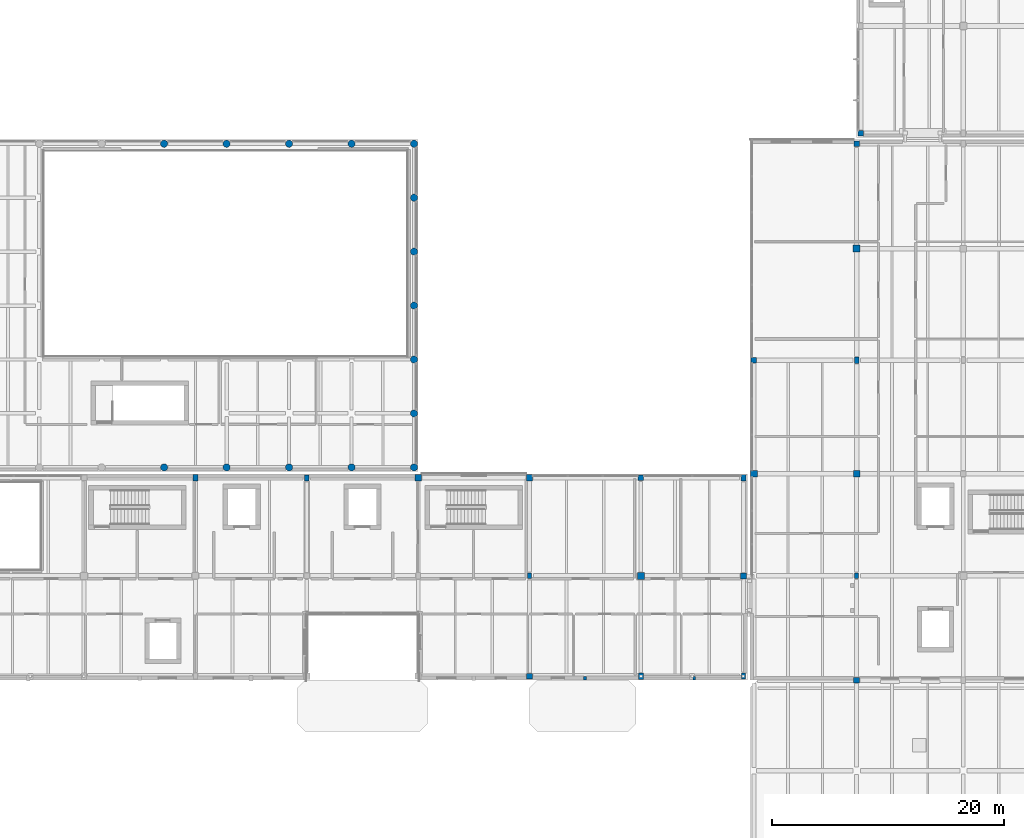
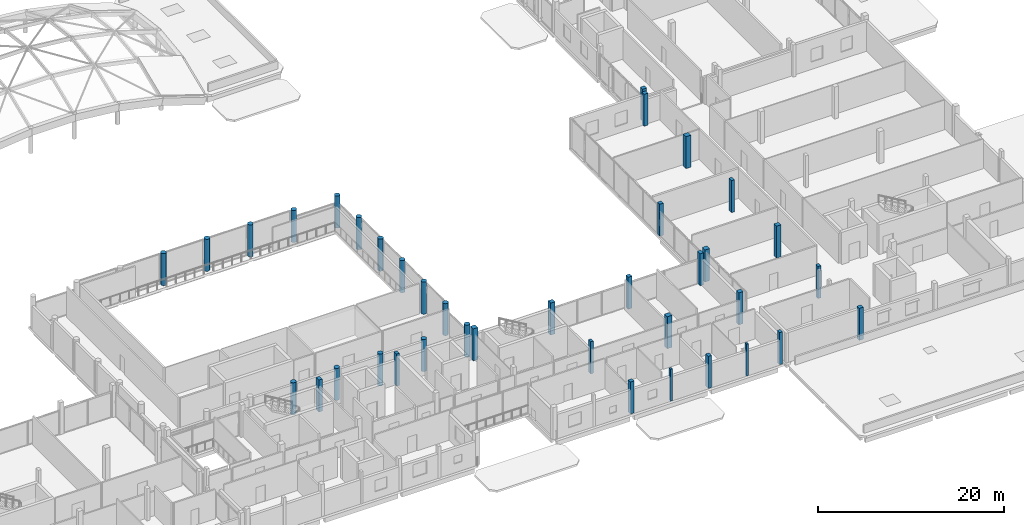
# One storey, part 2 of 66: 38 columns.
"""IFC4 building model written with IfcOpenShell, lengths in metres."""

from ifc_helpers import new_model, si_unit, direction, frame, origin, origin_2d, place, context, subcontext, project, spatial, rectangle, circle, extrude, material, material_profile, profile_set, type_object, element, save


model = new_model("IFC4")

# Units and contexts
model_context = context("Model", 3, precision=1e-05, world=origin(), true_north=direction((0.0, 1.0)))
body_context = subcontext(model_context, "Body", "Model", "MODEL_VIEW")
ifc_project = project(units=[si_unit("LENGTHUNIT", "METRE"), si_unit("AREAUNIT", "SQUARE_METRE"), si_unit("VOLUMEUNIT", "CUBIC_METRE"), si_unit("PLANEANGLEUNIT", "RADIAN"), si_unit("MASSUNIT", "GRAM", prefix="KILO")], contexts=[model_context])

# Site, building, storey
site_placement = place(None, origin())
site = spatial("IfcSite", under=ifc_project, at=site_placement, CompositionType="ELEMENT")
building_placement = place(site_placement, origin())
building = spatial("IfcBuilding", under=site, at=building_placement, Name="Birchvale Park Specialist Clinic", CompositionType="ELEMENT")
storey_placement = place(building_placement, frame((0.0, 0.0, 5.39990234375)))
storey = spatial("IfcBuildingStorey", under=building, at=storey_placement, Name="L01", CompositionType="ELEMENT", Elevation=5.39990234375)

# Columns
ifc_material = material(Name="Concrete C40/50", Category="concrete")
ifc_material_profile_1 = material_profile(ifc_material, rectangle(XDim=0.580078125, YDim=0.580078125, at=origin_2d()), Name="RC-580x580")
ifc_profile_set_1 = profile_set([ifc_material_profile_1], Name="Concrete C40/50")
column_type_1 = type_object("IfcColumnType", Name="COL-EXT-C03", PredefinedType="COLUMN", material=ifc_profile_set_1)
for number, where, z_axis, x_axis, name in (
    (1, (90.199951171875, 34.25, 0.0), (0.0, 0.0, 1.0), (1.0, 0.0, 0.0), "V4 L01 column 15"),
    (2, (119.14990234375, 34.60009765625, 0.0), (0.0, 0.0, 1.0), (1.0, 0.0, 0.0), "V5 L01 column 1"),
):
    element("IfcColumn", number, at=place(storey_placement, frame(where, z_axis=z_axis, x_axis=x_axis)), inside=storey, type_object=column_type_1, Name=name, PredefinedType="COLUMN", context=body_context, shape_type="SweptSolid", body=[
        extrude(rectangle(XDim=0.580078125, YDim=0.580078125, at=origin_2d()), origin(), (0.0, 0.0, 1.0), 4.2001953125),
    ])
ifc_material_profile_2 = material_profile(ifc_material, rectangle(XDim=0.530029296875, YDim=0.530029296875, at=origin_2d()), Name="RC-530x530")
ifc_profile_set_2 = profile_set([ifc_material_profile_2], Name="Concrete C40/50")
column_type_2 = type_object("IfcColumnType", Name="COL-EXT-C04", PredefinedType="COLUMN", material=ifc_profile_set_2)
for number, where, z_axis, x_axis, name in (
    (3, (99.800048828125, 34.25, 0.0), (0.0, 0.0, 1.0), (1.0, 0.0, 0.0), "V4 L01 column 18"),
    (4, (118.25, 25.800048828125, 0.0), (0.0, 0.0, 1.0), (1.0, 0.0, 0.0), "V4 L01 column 23"),
):
    element("IfcColumn", number, at=place(storey_placement, frame(where, z_axis=z_axis, x_axis=x_axis)), inside=storey, type_object=column_type_2, Name=name, PredefinedType="COLUMN", context=body_context, shape_type="SweptSolid", body=[
        extrude(rectangle(XDim=0.530029296875, YDim=0.530029296875, at=origin_2d()), origin(), (0.0, 0.0, 1.0), 4.2001953125),
    ])
ifc_material_profile_3 = material_profile(ifc_material, rectangle(XDim=0.47998046875, YDim=0.47998046875, at=origin_2d()), Name="RC-480x480")
ifc_profile_set_3 = profile_set([ifc_material_profile_3], Name="Concrete C40/50")
column_type_3 = type_object("IfcColumnType", Name="COL-EXT-C05", PredefinedType="COLUMN", material=ifc_profile_set_3)
for number, where, z_axis, x_axis, name in (
    (5, (99.800048828125, 17.14990234375, 0.0), (0.0, 0.0, 1.0), (1.0, 0.0, 0.0), "V4 L01 column 16"),
    (6, (109.39990234375, 34.25, 0.0), (0.0, 0.0, 1.0), (1.0, 0.0, 0.0), "V4 L01 column 21"),
    (7, (119.14990234375, 44.39990234375, 0.0), (0.0, 0.0, 1.0), (1.0, 0.0, 0.0), "V5 L01 column 2"),
    (8, (128.0, 63.050048828125, 0.0), (0.0, 0.0, 1.0), (1.0, 0.0, 0.0), "V5 L01 column 8"),
    (9, (128.35009765625, 63.949951171875, 0.0), (0.0, 0.0, 1.0), (1.0, 0.0, 0.0), "V6 L01 column 1"),
):
    element("IfcColumn", number, at=place(storey_placement, frame(where, z_axis=z_axis, x_axis=x_axis)), inside=storey, type_object=column_type_3, Name=name, PredefinedType="COLUMN", context=body_context, shape_type="SweptSolid", body=[
        extrude(rectangle(XDim=0.47998046875, YDim=0.47998046875, at=origin_2d()), origin(), (0.0, 0.0, 1.0), 4.2001953125),
    ])
ifc_material_profile_4 = material_profile(ifc_material, rectangle(XDim=0.419921875, YDim=0.580078125, at=origin_2d()), Name="RC-420x580")
ifc_profile_set_4 = profile_set([ifc_material_profile_4], Name="Concrete C40/50")
column_type_4 = type_object("IfcColumnType", Name="COL-EXT-C10", PredefinedType="COLUMN", material=ifc_profile_set_4)
for number, where, z_axis, x_axis, name in (
    (10, (71.0, 34.25, 0.0), (0.0, 0.0, 1.0), (1.0, 0.0, 0.0), "V4 L01 column 9"),
    (11, (109.39990234375, 17.14990234375, 0.0), (0.0, 0.0, 1.0), (1.0, 0.0, 0.0), "V4 L01 column 19"),
    (12, (118.25, 34.25, 0.0), (0.0, 0.0, 1.0), (1.0, 0.0, 0.0), "V4 L01 column 24"),
):
    element("IfcColumn", number, at=place(storey_placement, frame(where, z_axis=z_axis, x_axis=x_axis)), inside=storey, type_object=column_type_4, Name=name, PredefinedType="COLUMN", context=body_context, shape_type="SweptSolid", body=[
        extrude(rectangle(XDim=0.419921875, YDim=0.580078125, at=origin_2d()), origin(), (0.0, 0.0, 1.0), 4.2001953125),
    ])
ifc_material_profile_5 = material_profile(ifc_material, rectangle(XDim=0.3701171875, YDim=0.52001953125, at=origin_2d()), Name="RC-370x520")
ifc_profile_set_5 = profile_set([ifc_material_profile_5], Name="Concrete C40/50")
column_type_5 = type_object("IfcColumnType", Name="COL-EXT-C11", PredefinedType="COLUMN", material=ifc_profile_set_5)
for number, where, z_axis, x_axis, name in (
    (13, (80.60009765625, 34.25, 0.0), (0.0, 0.0, 1.0), (1.0, 0.0, 0.0), "V4 L01 column 12"),
    (14, (118.25, 17.14990234375, 0.0), (0.0, 0.0, 1.0), (1.0, 0.0, 0.0), "V4 L01 column 22"),
):
    element("IfcColumn", number, at=place(storey_placement, frame(where, z_axis=z_axis, x_axis=x_axis)), inside=storey, type_object=column_type_5, Name=name, PredefinedType="COLUMN", context=body_context, shape_type="SweptSolid", body=[
        extrude(rectangle(XDim=0.3701171875, YDim=0.52001953125, at=origin_2d()), origin(), (0.0, 0.0, 1.0), 4.2001953125),
    ])
ifc_material_profile_6 = material_profile(ifc_material, circle(Radius=0.31005859375, at=origin_2d()), Name="RCC-620")
ifc_profile_set_6 = profile_set([ifc_material_profile_6], Name="Concrete C40/50")
column_type_6 = type_object("IfcColumnType", Name="COL-EXT-CC1", PredefinedType="COLUMN", material=ifc_profile_set_6)
for number, where, z_axis, x_axis, name in (
    (15, (68.30712890625, 35.14990234375, 0.0), (0.0, 0.0, 1.0), (1.0, 0.0, 0.0), "V1 L01 column 12"),
    (16, (68.30712890625, 63.050048828125, 0.0), (0.0, 0.0, 1.0), (1.0, 0.0, 0.0), "V1 L01 column 13"),
    (17, (73.69287109375, 35.14990234375, 0.0), (0.0, 0.0, 1.0), (1.0, 0.0, 0.0), "V1 L01 column 14"),
    (18, (73.69287109375, 63.050048828125, 0.0), (0.0, 0.0, 1.0), (1.0, 0.0, 0.0), "V1 L01 column 15"),
    (19, (79.07861328125, 35.14990234375, 0.0), (0.0, 0.0, 1.0), (1.0, 0.0, 0.0), "V1 L01 column 16"),
    (20, (79.07861328125, 63.050048828125, 0.0), (0.0, 0.0, 1.0), (1.0, 0.0, 0.0), "V1 L01 column 17"),
    (21, (84.46435546875, 35.14990234375, 0.0), (0.0, 0.0, 1.0), (1.0, 0.0, 0.0), "V1 L01 column 18"),
    (22, (84.46435546875, 63.050048828125, 0.0), (0.0, 0.0, 1.0), (1.0, 0.0, 0.0), "V1 L01 column 19"),
    (23, (89.85009765625, 35.14990234375, 0.0), (0.0, 0.0, 1.0), (1.0, 0.0, 0.0), "V1 L01 column 20"),
    (24, (89.85009765625, 39.800048828125, 0.0), (0.0, 0.0, 1.0), (1.0, 0.0, 0.0), "V1 L01 column 21"),
    (25, (89.85009765625, 44.449951171875, 0.0), (0.0, 0.0, 1.0), (1.0, 0.0, 0.0), "V1 L01 column 22"),
    (26, (89.85009765625, 49.10009765625, 0.0), (0.0, 0.0, 1.0), (1.0, 0.0, 0.0), "V1 L01 column 23"),
    (27, (89.85009765625, 53.75, 0.0), (0.0, 0.0, 1.0), (1.0, 0.0, 0.0), "V1 L01 column 24"),
    (28, (89.85009765625, 58.39990234375, 0.0), (0.0, 0.0, 1.0), (1.0, 0.0, 0.0), "V1 L01 column 25"),
    (29, (89.85009765625, 63.050048828125, 0.0), (0.0, 0.0, 1.0), (1.0, 0.0, 0.0), "V1 L01 column 26"),
):
    element("IfcColumn", number, at=place(storey_placement, frame(where, z_axis=z_axis, x_axis=x_axis)), inside=storey, type_object=column_type_6, Name=name, PredefinedType="COLUMN", context=body_context, shape_type="SweptSolid", body=[
        extrude(circle(Radius=0.31005859375, at=origin_2d()), origin(), (0.0, 0.0, 1.0), 4.2001953125),
    ])
ifc_material_profile_7 = material_profile(ifc_material, rectangle(XDim=0.60009765625, YDim=0.60009765625, at=origin_2d()), Name="RC-600x600")
ifc_profile_set_7 = profile_set([ifc_material_profile_7], Name="Concrete C40/50")
column_type_7 = type_object("IfcColumnType", Name="COL-INT-C03", PredefinedType="COLUMN", material=ifc_profile_set_7)
for number, where, z_axis, x_axis, name in (
    (30, (109.39990234375, 25.800048828125, 0.0), (0.0, 0.0, 1.0), (1.0, 0.0, 0.0), "V4 L01 column 20"),
    (31, (128.0, 54.0, 0.0), (0.0, 0.0, 1.0), (1.0, 0.0, 0.0), "V5 L01 column 7"),
):
    element("IfcColumn", number, at=place(storey_placement, frame(where, z_axis=z_axis, x_axis=x_axis)), inside=storey, type_object=column_type_7, Name=name, PredefinedType="COLUMN", context=body_context, shape_type="SweptSolid", body=[
        extrude(rectangle(XDim=0.60009765625, YDim=0.60009765625, at=origin_2d()), origin(), (0.0, 0.0, 1.0), 4.2001953125),
    ])
ifc_material_profile_8 = material_profile(ifc_material, rectangle(XDim=0.550048828125, YDim=0.550048828125, at=origin_2d()), Name="RC-550x550")
ifc_profile_set_8 = profile_set([ifc_material_profile_8], Name="Concrete C40/50")
column_type_8 = type_object("IfcColumnType", Name="COL-INT-C04", PredefinedType="COLUMN", material=ifc_profile_set_8)
column_1_placement = place(storey_placement, frame((128.0, 34.60009765625, 0.0), z_axis=(0.0, 0.0, 1.0), x_axis=(1.0, 0.0, 0.0)))
element("IfcColumn", 32, at=column_1_placement, inside=storey, type_object=column_type_8, Name="V5 L01 column 5", PredefinedType="COLUMN", context=body_context, shape_type="SweptSolid", body=[
    extrude(rectangle(XDim=0.550048828125, YDim=0.550048828125, at=origin_2d()), origin(), (0.0, 0.0, 1.0), 4.2001953125),
])
ifc_material_profile_9 = material_profile(ifc_material, rectangle(XDim=0.5, YDim=0.5, at=origin_2d()), Name="RC-500x500")
ifc_profile_set_9 = profile_set([ifc_material_profile_9], Name="Concrete C40/50")
column_type_9 = type_object("IfcColumnType", Name="COL-INT-C05", PredefinedType="COLUMN", material=ifc_profile_set_9)
column_2_placement = place(storey_placement, frame((128.0, 16.800048828125, 0.0), z_axis=(0.0, 0.0, 1.0), x_axis=(1.0, 0.0, 0.0)))
element("IfcColumn", 33, at=column_2_placement, inside=storey, type_object=column_type_9, Name="V5 L01 column 3", PredefinedType="COLUMN", context=body_context, shape_type="SweptSolid", body=[
    extrude(rectangle(XDim=0.5, YDim=0.5, at=origin_2d()), origin(), (0.0, 0.0, 1.0), 4.2001953125),
])
ifc_material_profile_10 = material_profile(ifc_material, rectangle(XDim=0.39990234375, YDim=0.550048828125, at=origin_2d()), Name="RC-400x550")
ifc_profile_set_10 = profile_set([ifc_material_profile_10], Name="Concrete C40/50")
column_type_10 = type_object("IfcColumnType", Name="COL-INT-C10", PredefinedType="COLUMN", material=ifc_profile_set_10)
column_3_placement = place(storey_placement, frame((128.0, 44.39990234375, 0.0), z_axis=(0.0, 0.0, 1.0), x_axis=(1.0, 0.0, 0.0)))
element("IfcColumn", 34, at=column_3_placement, inside=storey, type_object=column_type_10, Name="V5 L01 column 6", PredefinedType="COLUMN", context=body_context, shape_type="SweptSolid", body=[
    extrude(rectangle(XDim=0.39990234375, YDim=0.550048828125, at=origin_2d()), origin(), (0.0, 0.0, 1.0), 4.2001953125),
])
ifc_material_profile_11 = material_profile(ifc_material, rectangle(XDim=0.35009765625, YDim=0.5, at=origin_2d()), Name="RC-350x500")
ifc_profile_set_11 = profile_set([ifc_material_profile_11], Name="Concrete C40/50")
column_type_11 = type_object("IfcColumnType", Name="COL-INT-C11", PredefinedType="COLUMN", material=ifc_profile_set_11)
for number, where, z_axis, x_axis, name in (
    (35, (99.800048828125, 25.800048828125, 0.0), (0.0, 0.0, 1.0), (1.0, 0.0, 0.0), "V4 L01 column 17"),
    (36, (128.0, 25.800048828125, 0.0), (0.0, 0.0, 1.0), (1.0, 0.0, 0.0), "V5 L01 column 4"),
):
    element("IfcColumn", number, at=place(storey_placement, frame(where, z_axis=z_axis, x_axis=x_axis)), inside=storey, type_object=column_type_11, Name=name, PredefinedType="COLUMN", context=body_context, shape_type="SweptSolid", body=[
        extrude(rectangle(XDim=0.35009765625, YDim=0.5, at=origin_2d()), origin(), (0.0, 0.0, 1.0), 4.2001953125),
    ])
ifc_material_profile_12 = material_profile(ifc_material, rectangle(XDim=0.25, YDim=0.340087890625, at=origin_2d()), Name="PIL-250x340")
ifc_profile_set_12 = profile_set([ifc_material_profile_12], Name="Concrete C40/50")
column_type_12 = type_object("IfcColumnType", Name="PIL-PL3", PredefinedType="PILASTER", material=ifc_profile_set_12)
column_4_placement = place(storey_placement, frame((104.60009765625, 16.969970703125, 0.0), z_axis=(0.0, 0.0, 1.0), x_axis=(1.0, 0.0, 0.0)))
element("IfcColumn", 37, at=column_4_placement, inside=storey, type_object=column_type_12, Name="V4 L01 facade pilaster 17", PredefinedType="PILASTER", context=body_context, shape_type="SweptSolid", body=[
    extrude(rectangle(XDim=0.25, YDim=0.340087890625, at=origin_2d()), origin(), (0.0, 0.0, 1.0), 4.2001953125),
])
ifc_material_profile_13 = material_profile(ifc_material, rectangle(XDim=0.239990234375, YDim=0.320068359375, at=origin_2d()), Name="PIL-240x320")
ifc_profile_set_13 = profile_set([ifc_material_profile_13], Name="Concrete C40/50")
column_type_13 = type_object("IfcColumnType", Name="PIL-PL4", PredefinedType="PILASTER", material=ifc_profile_set_13)
column_5_placement = place(storey_placement, frame((114.0, 16.969970703125, 0.0), z_axis=(0.0, 0.0, 1.0), x_axis=(1.0, 0.0, 0.0)))
element("IfcColumn", 38, at=column_5_placement, inside=storey, type_object=column_type_13, Name="V4 L01 facade pilaster 22", PredefinedType="PILASTER", context=body_context, shape_type="SweptSolid", body=[
    extrude(rectangle(XDim=0.239990234375, YDim=0.320068359375, at=origin_2d()), origin(), (0.0, 0.0, 1.0), 4.2001953125),
])

save(model, "model.ifc")
